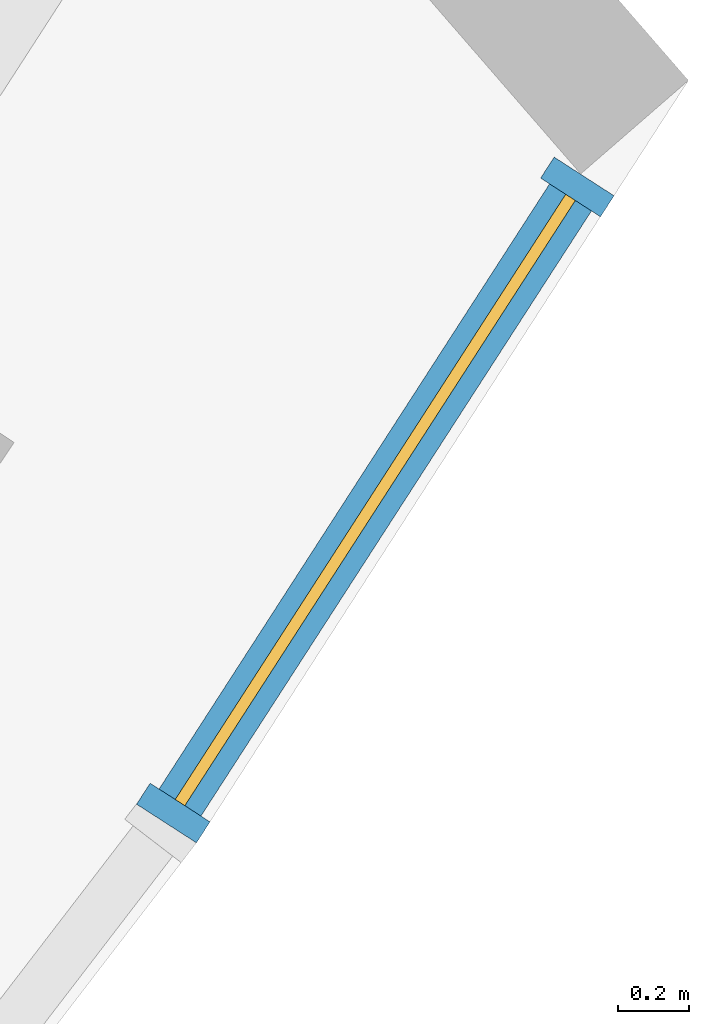
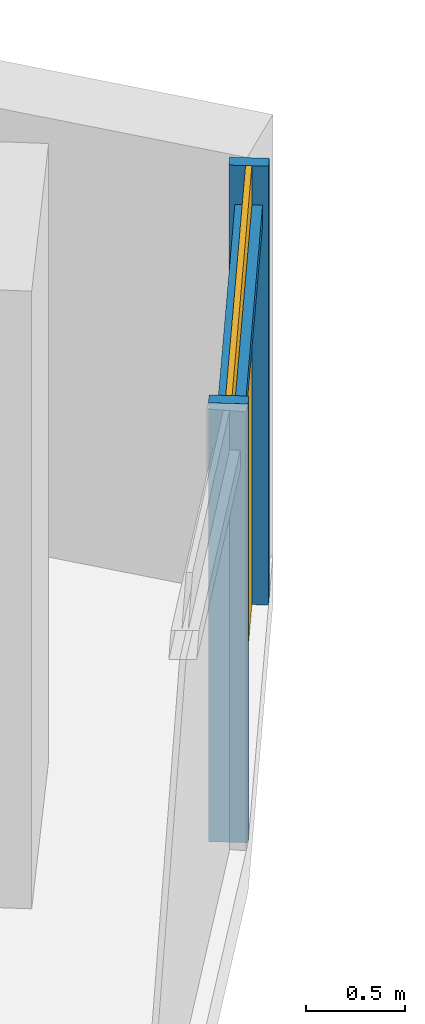
# One storey, part 24 of 31: 3 members, 1 curtain wall.
"""IFC4 building model written with IfcOpenShell, lengths in metres."""

from ifc_helpers import new_model, si_unit, direction, frame, origin, origin_2d, place, context, subcontext, project, spatial, rectangle, extrude, material, material_profile, profile_set, type_object, element, aggregate, save


model = new_model("IFC4")

# Units and contexts
model_context = context("Model", 3, precision=1e-05, world=origin(), true_north=direction((0.0, 1.0)))
body_context = subcontext(model_context, "Body", "Model", "MODEL_VIEW")
ifc_project = project(units=[si_unit("LENGTHUNIT", "METRE"), si_unit("AREAUNIT", "SQUARE_METRE"), si_unit("VOLUMEUNIT", "CUBIC_METRE"), si_unit("PLANEANGLEUNIT", "RADIAN"), si_unit("MASSUNIT", "GRAM", prefix="KILO")], contexts=[model_context])

# Member
ifc_material = material(Name="Aluminium 6063-T6 anodised", Category="aluminium")
ifc_material_profile_1 = material_profile(ifc_material, rectangle(XDim=0.199951171875, YDim=0.070068359375, at=origin_2d()))
ifc_profile_set_1 = profile_set([ifc_material_profile_1], Name="Aluminium 6063-T6 anodised")
member_type_1 = type_object("IfcMemberType", Name="Mullion 70 x 200 aluminium", PredefinedType="MULLION", material=ifc_profile_set_1)
site_placement = place(None, origin())
building_placement = place(site_placement, origin())
storey_placement = place(building_placement, frame((0.0, 0.0, 59.5)))
member_1_placement = place(storey_placement, frame((66.16162109375, -44.16748046875, 0.0), z_axis=(0.0, 0.0, 1.0), x_axis=(-0.840244709552, 0.5422073663, 0.0)))
member_1 = element("IfcMember", 1, at=member_1_placement, type_object=member_type_1, Name="e-cw1-L11-out16/M00", PredefinedType="MULLION", context=body_context, shape_type="SweptSolid", body=[
    extrude(rectangle(XDim=0.199951171875, YDim=0.070068359375, at=origin_2d()), origin(), (0.0, 0.0, 1.0), 2.699951171875),
])

member_2_placement = place(storey_placement, frame((67.295654296875, -42.41015625, 0.0), z_axis=(0.0, 0.0, 1.0), x_axis=(-0.840244709552, 0.5422073663, 0.0)))
member_2 = element("IfcMember", 2, at=member_2_placement, type_object=member_type_1, Name="e-cw1-L11-out16/M01", PredefinedType="MULLION", context=body_context, shape_type="SweptSolid", body=[
    extrude(rectangle(XDim=0.199951171875, YDim=0.070068359375, at=origin_2d()), origin(), (0.0, 0.0, 1.0), 2.699951171875),
])

ifc_material_profile_2 = material_profile(ifc_material, rectangle(XDim=0.139892578125, YDim=0.1201171875, at=origin_2d()))
ifc_profile_set_2 = profile_set([ifc_material_profile_2], Name="Aluminium 6063-T6 anodised")
member_type_2 = type_object("IfcMemberType", Name="Transom 120 x 140 aluminium", PredefinedType="USERDEFINED", material=ifc_profile_set_2)
member_3_placement = place(storey_placement, frame((66.180419921875, -44.13818359375, 2.39990234375), z_axis=(0.542209384604, 0.840243407143, 0.0), x_axis=(-0.840243407143, 0.542209384604, 0.0)))
member_3 = element("IfcMember", 3, at=member_3_placement, type_object=member_type_2, Name="e-cw1-L11-out16/T00", ObjectType="TRANSOM", PredefinedType="USERDEFINED", context=body_context, shape_type="SweptSolid", body=[
    extrude(rectangle(XDim=0.139892578125, YDim=0.1201171875, at=origin_2d()), origin(), (0.0, 0.0, 1.0), 2.021728515625),
])

# Site, building, storey
site = spatial("IfcSite", under=ifc_project, at=site_placement, CompositionType="ELEMENT")
building = spatial("IfcBuilding", under=site, at=building_placement, Name="Qamariyya Broadcast Tower", CompositionType="ELEMENT")
storey = spatial("IfcBuildingStorey", under=building, at=storey_placement, Name="L11", CompositionType="ELEMENT", Elevation=59.5)

# Curtain wall
curtain_wall_type = type_object("IfcCurtainWallType", Name="Unitised curtain wall, anodised aluminium", PredefinedType="NOTDEFINED", material=ifc_material)
curtain_wall_placement = place(storey_placement, origin())
curtain_wall = element("IfcCurtainWall", 4, at=curtain_wall_placement, inside=storey, type_object=curtain_wall_type, Name="e-cw1-L11-out16", PredefinedType="NOTDEFINED", context=body_context, shape_type="SweptSolid", body=[
    extrude(rectangle(XDim=2.021728515625, YDim=0.031982421875, at=origin_2d()), frame((66.728515625, -43.288818359375, 0.0), x_axis=(0.542126869822, 0.840296648224, 0.0)), (0.0, 0.0, 1.0), 2.340087890625),
    extrude(rectangle(XDim=2.021728515625, YDim=0.031982421875, at=origin_2d()), frame((66.728515625, -43.288818359375, 2.4599609375), x_axis=(0.542126869822, 0.840296648224, 0.0)), (0.0, 0.0, 1.0), 0.239990234375),
])

aggregate(curtain_wall, [member_1, member_2, member_3])

save(model, "model.ifc")
